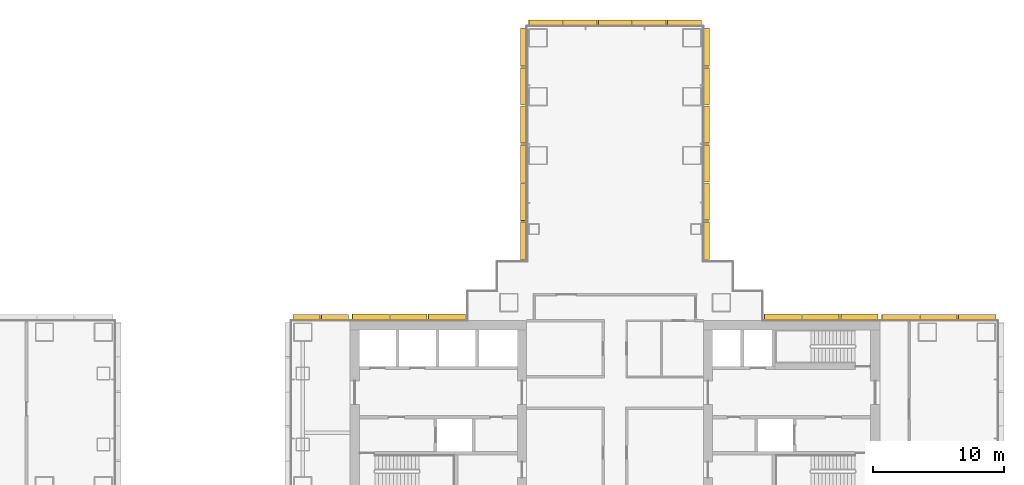
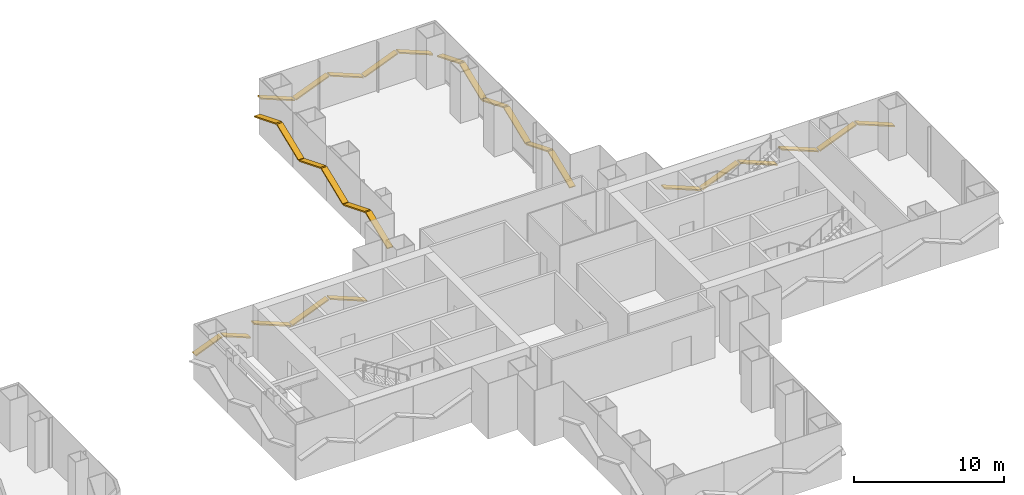
# One storey, part 22 of 22: 28 shading devices.
"""IFC4 building model written with IfcOpenShell, lengths in metres."""

from ifc_helpers import new_model, si_unit, direction, frame, origin, origin_2d, place, context, subcontext, project, spatial, rectangle, extrude, material, material_profile, profile_set, type_object, element, save


model = new_model("IFC4")

# Units and contexts
model_context = context("Model", 3, precision=1e-05, world=origin(), true_north=direction((0.0, 1.0)))
body_context = subcontext(model_context, "Body", "Model", "MODEL_VIEW")
ifc_project = project(units=[si_unit("LENGTHUNIT", "METRE"), si_unit("AREAUNIT", "SQUARE_METRE"), si_unit("VOLUMEUNIT", "CUBIC_METRE"), si_unit("PLANEANGLEUNIT", "RADIAN"), si_unit("MASSUNIT", "GRAM", prefix="KILO")], contexts=[model_context])

# Site, building, storey
site_placement = place(None, origin())
site = spatial("IfcSite", under=ifc_project, at=site_placement, CompositionType="ELEMENT")
building_placement = place(site_placement, origin())
building = spatial("IfcBuilding", under=site, at=building_placement, Name="Shamsa Quay Exchange Towers", CompositionType="ELEMENT")
storey_placement = place(building_placement, frame((0.0, 0.0, 33.0)))
storey = spatial("IfcBuildingStorey", under=building, at=storey_placement, Name="L06", CompositionType="ELEMENT", Elevation=33.0)

# Shading devices
ifc_material = material(Name="Aluminium EN AW-6063 T6, black anodised", Category="aluminium")
ifc_material_profile = material_profile(ifc_material, rectangle(XDim=0.449951171875, YDim=0.10009765625, at=origin_2d()), Name="FIN450x100")
ifc_profile_set = profile_set([ifc_material_profile], Name="Aluminium EN AW-6063 T6, black anodised")
shading_device_type = type_object("IfcShadingDeviceType", Name="FIN 450x100 BLACK ALUMINIUM", PredefinedType="USERDEFINED", material=ifc_profile_set)
shading_device_1_placement = place(storey_placement, frame((62.85009765625, 7.014892578125, 1.32421875), z_axis=(-0.927172879528, 0.0, 0.374633756445), x_axis=(0.0, -1.0, 0.0)))
element("IfcShadingDevice", 1, at=shading_device_1_placement, inside=storey, type_object=shading_device_type, Name="FIN T2 chevron rib", ObjectType="FIN", PredefinedType="USERDEFINED", context=body_context, shape_type="SweptSolid", body=[
    extrude(rectangle(XDim=0.449951171875, YDim=0.10009765625, at=origin_2d()), origin(), (0.0, 0.0, 1.0), 3.073974609375),
])
shading_device_2_placement = place(storey_placement, frame((59.89990234375, 7.014892578125, 2.465576171875), z_axis=(-0.927194321903, 0.0, -0.374580684808), x_axis=(0.0, -1.0, 0.0)))
element("IfcShadingDevice", 2, at=shading_device_2_placement, inside=storey, type_object=shading_device_type, Name="FIN T2 chevron rib", ObjectType="FIN", PredefinedType="USERDEFINED", context=body_context, shape_type="SweptSolid", body=[
    extrude(rectangle(XDim=0.449951171875, YDim=0.10009765625, at=origin_2d()), origin(), (0.0, 0.0, 1.0), 3.01953125),
])
for number, where, z_axis, x_axis, name in (
    (3, (57.0, 7.014892578125, 1.32421875), (-0.927172879528, 0.0, 0.374633756445), (0.0, -1.0, 0.0), "FIN T2 chevron rib"),
    (4, (53.85009765625, 7.01904296875, 1.32421875), (-0.927172879528, 0.0, 0.374633756445), (0.0, -1.0, 0.0), "FIN T2 chevron rib"),
):
    element("IfcShadingDevice", number, at=place(storey_placement, frame(where, z_axis=z_axis, x_axis=x_axis)), inside=storey, type_object=shading_device_type, Name=name, ObjectType="FIN", PredefinedType="USERDEFINED", context=body_context, shape_type="SweptSolid", body=[
        extrude(rectangle(XDim=0.449951171875, YDim=0.10009765625, at=origin_2d()), origin(), (0.0, 0.0, 1.0), 3.073974609375),
    ])
shading_device_3_placement = place(storey_placement, frame((50.89990234375, 7.01904296875, 2.465576171875), z_axis=(-0.927194321903, 0.0, -0.374580684808), x_axis=(0.0, -1.0, 0.0)))
element("IfcShadingDevice", 5, at=shading_device_3_placement, inside=storey, type_object=shading_device_type, Name="FIN T2 chevron rib", ObjectType="FIN", PredefinedType="USERDEFINED", context=body_context, shape_type="SweptSolid", body=[
    extrude(rectangle(XDim=0.449951171875, YDim=0.10009765625, at=origin_2d()), origin(), (0.0, 0.0, 1.0), 3.01953125),
])
shading_device_4_placement = place(storey_placement, frame((48.0, 7.01904296875, 1.32421875), z_axis=(-0.927172879528, 0.0, 0.374633756445), x_axis=(0.0, -1.0, 0.0)))
element("IfcShadingDevice", 6, at=shading_device_4_placement, inside=storey, type_object=shading_device_type, Name="FIN T2 chevron rib", ObjectType="FIN", PredefinedType="USERDEFINED", context=body_context, shape_type="SweptSolid", body=[
    extrude(rectangle(XDim=0.449951171875, YDim=0.10009765625, at=origin_2d()), origin(), (0.0, 0.0, 1.0), 3.073974609375),
])
shading_device_5_placement = place(storey_placement, frame((40.764892578125, 11.43798828125, 1.3154296875), z_axis=(0.0, 0.927181758575, 0.374611781137), x_axis=(-1.0, 0.0, 0.0)))
element("IfcShadingDevice", 7, at=shading_device_5_placement, inside=storey, type_object=shading_device_type, Name="FIN T2 chevron rib", ObjectType="FIN", PredefinedType="USERDEFINED", context=body_context, shape_type="SweptSolid", body=[
    extrude(rectangle(XDim=0.449951171875, YDim=0.10009765625, at=origin_2d()), origin(), (0.0, 0.0, 1.0), 3.12109375),
])
for number, where, z_axis, x_axis, name in (
    (8, (40.764892578125, 14.431640625, 2.474365234375), (0.0, 0.927186549588, -0.374599922936), (-1.0, 0.0, 0.0), "FIN T2 chevron rib"),
    (9, (40.764892578125, 17.375244140625, 1.325439453125), (0.0, 0.927186549588, 0.374599922936), (-1.0, 0.0, 0.0), "FIN T2 chevron rib"),
):
    element("IfcShadingDevice", number, at=place(storey_placement, frame(where, z_axis=z_axis, x_axis=x_axis)), inside=storey, type_object=shading_device_type, Name=name, ObjectType="FIN", PredefinedType="USERDEFINED", context=body_context, shape_type="SweptSolid", body=[
        extrude(rectangle(XDim=0.449951171875, YDim=0.10009765625, at=origin_2d()), origin(), (0.0, 0.0, 1.0), 3.067138671875),
    ])
shading_device_6_placement = place(storey_placement, frame((40.764892578125, 20.319091796875, 2.474365234375), z_axis=(0.0, 0.927175378404, -0.374627571973), x_axis=(-1.0, 0.0, 0.0)))
element("IfcShadingDevice", 10, at=shading_device_6_placement, inside=storey, type_object=shading_device_type, Name="FIN T2 chevron rib", ObjectType="FIN", PredefinedType="USERDEFINED", context=body_context, shape_type="SweptSolid", body=[
    extrude(rectangle(XDim=0.449951171875, YDim=0.10009765625, at=origin_2d()), origin(), (0.0, 0.0, 1.0), 3.06689453125),
])
shading_device_7_placement = place(storey_placement, frame((40.764892578125, 23.2626953125, 1.325439453125), z_axis=(0.0, 0.927186549588, 0.374599922936), x_axis=(-1.0, 0.0, 0.0)))
element("IfcShadingDevice", 11, at=shading_device_7_placement, inside=storey, type_object=shading_device_type, Name="FIN T2 chevron rib", ObjectType="FIN", PredefinedType="USERDEFINED", context=body_context, shape_type="SweptSolid", body=[
    extrude(rectangle(XDim=0.449951171875, YDim=0.10009765625, at=origin_2d()), origin(), (0.0, 0.0, 1.0), 3.067138671875),
])
shading_device_8_placement = place(storey_placement, frame((40.764892578125, 26.206298828125, 2.484619140625), z_axis=(0.0, 0.927181758575, -0.374611781137), x_axis=(-1.0, 0.0, 0.0)))
element("IfcShadingDevice", 12, at=shading_device_8_placement, inside=storey, type_object=shading_device_type, Name="FIN T2 chevron rib", ObjectType="FIN", PredefinedType="USERDEFINED", context=body_context, shape_type="SweptSolid", body=[
    extrude(rectangle(XDim=0.449951171875, YDim=0.10009765625, at=origin_2d()), origin(), (0.0, 0.0, 1.0), 3.12109375),
])
shading_device_9_placement = place(storey_placement, frame((40.35009765625, 29.514892578125, 1.376708984375), z_axis=(-0.927193392866, 0.0, 0.374582984431), x_axis=(0.0, -1.0, 0.0)))
element("IfcShadingDevice", 13, at=shading_device_9_placement, inside=storey, type_object=shading_device_type, Name="FIN T2 chevron rib", ObjectType="FIN", PredefinedType="USERDEFINED", context=body_context, shape_type="SweptSolid", body=[
    extrude(rectangle(XDim=0.449951171875, YDim=0.10009765625, at=origin_2d()), origin(), (0.0, 0.0, 1.0), 2.79345703125),
])
shading_device_10_placement = place(storey_placement, frame((37.659912109375, 29.514892578125, 2.4130859375), z_axis=(-0.92718648049, 0.0, -0.374600093963), x_axis=(0.0, -1.0, 0.0)))
element("IfcShadingDevice", 14, at=shading_device_10_placement, inside=storey, type_object=shading_device_type, Name="FIN T2 chevron rib", ObjectType="FIN", PredefinedType="USERDEFINED", context=body_context, shape_type="SweptSolid", body=[
    extrude(rectangle(XDim=0.449951171875, YDim=0.10009765625, at=origin_2d()), origin(), (0.0, 0.0, 1.0), 2.7392578125),
])
shading_device_11_placement = place(storey_placement, frame((35.02001953125, 29.514892578125, 1.386962890625), z_axis=(-0.927198985683, 0.0, 0.37456914041), x_axis=(0.0, -1.0, 0.0)))
element("IfcShadingDevice", 15, at=shading_device_11_placement, inside=storey, type_object=shading_device_type, Name="FIN T2 chevron rib", ObjectType="FIN", PredefinedType="USERDEFINED", context=body_context, shape_type="SweptSolid", body=[
    extrude(rectangle(XDim=0.449951171875, YDim=0.10009765625, at=origin_2d()), origin(), (0.0, 0.0, 1.0), 2.739501953125),
])
shading_device_12_placement = place(storey_placement, frame((32.3798828125, 29.514892578125, 2.4130859375), z_axis=(-0.92718648049, 0.0, -0.374600093963), x_axis=(0.0, -1.0, 0.0)))
element("IfcShadingDevice", 16, at=shading_device_12_placement, inside=storey, type_object=shading_device_type, Name="FIN T2 chevron rib", ObjectType="FIN", PredefinedType="USERDEFINED", context=body_context, shape_type="SweptSolid", body=[
    extrude(rectangle(XDim=0.449951171875, YDim=0.10009765625, at=origin_2d()), origin(), (0.0, 0.0, 1.0), 2.7392578125),
])
shading_device_13_placement = place(storey_placement, frame((29.739990234375, 29.514892578125, 1.376708984375), z_axis=(-0.927193392866, 0.0, 0.374582984431), x_axis=(0.0, -1.0, 0.0)))
element("IfcShadingDevice", 17, at=shading_device_13_placement, inside=storey, type_object=shading_device_type, Name="FIN T2 chevron rib", ObjectType="FIN", PredefinedType="USERDEFINED", context=body_context, shape_type="SweptSolid", body=[
    extrude(rectangle(XDim=0.449951171875, YDim=0.10009765625, at=origin_2d()), origin(), (0.0, 0.0, 1.0), 2.79345703125),
])
shading_device_14_placement = place(storey_placement, frame((26.735107421875, 29.10009765625, 1.314208984375), z_axis=(0.0, -0.927195444727, 0.374577905484), x_axis=(1.0, 0.0, 0.0)))
element("IfcShadingDevice", 18, at=shading_device_14_placement, inside=storey, type_object=shading_device_type, Name="FIN T2 chevron rib", ObjectType="FIN", PredefinedType="USERDEFINED", context=body_context, shape_type="SweptSolid", body=[
    extrude(rectangle(XDim=0.449951171875, YDim=0.10009765625, at=origin_2d()), origin(), (0.0, 0.0, 1.0), 3.1279296875),
])
shading_device_15_placement = place(storey_placement, frame((26.735107421875, 26.10009765625, 2.475830078125), z_axis=(0.0, -0.927172879528, -0.374633756445), x_axis=(1.0, 0.0, 0.0)))
element("IfcShadingDevice", 19, at=shading_device_15_placement, inside=storey, type_object=shading_device_type, Name="FIN T2 chevron rib", ObjectType="FIN", PredefinedType="USERDEFINED", context=body_context, shape_type="SweptSolid", body=[
    extrude(rectangle(XDim=0.449951171875, YDim=0.10009765625, at=origin_2d()), origin(), (0.0, 0.0, 1.0), 3.073974609375),
])
for number, where, z_axis, x_axis, name in (
    (20, (26.735107421875, 23.14990234375, 1.32421875), (0.0, -0.927161731378, 0.374661345576), (1.0, 0.0, 0.0), "FIN T2 chevron rib"),
    (21, (26.735107421875, 20.199951171875, 2.475830078125), (0.0, -0.927161731378, -0.374661345576), (1.0, 0.0, 0.0), "FIN T2 chevron rib"),
):
    element("IfcShadingDevice", number, at=place(storey_placement, frame(where, z_axis=z_axis, x_axis=x_axis)), inside=storey, type_object=shading_device_type, Name=name, ObjectType="FIN", PredefinedType="USERDEFINED", context=body_context, shape_type="SweptSolid", body=[
        extrude(rectangle(XDim=0.449951171875, YDim=0.10009765625, at=origin_2d()), origin(), (0.0, 0.0, 1.0), 3.07373046875),
    ])
shading_device_16_placement = place(storey_placement, frame((26.735107421875, 17.25, 1.32421875), z_axis=(0.0, -0.927172879528, 0.374633756445), x_axis=(1.0, 0.0, 0.0)))
element("IfcShadingDevice", 22, at=shading_device_16_placement, inside=storey, type_object=shading_device_type, Name="FIN T2 chevron rib", ObjectType="FIN", PredefinedType="USERDEFINED", context=body_context, shape_type="SweptSolid", body=[
    extrude(rectangle(XDim=0.449951171875, YDim=0.10009765625, at=origin_2d()), origin(), (0.0, 0.0, 1.0), 3.073974609375),
])
shading_device_17_placement = place(storey_placement, frame((26.735107421875, 14.300048828125, 2.48583984375), z_axis=(0.0, -0.927195444727, -0.374577905484), x_axis=(1.0, 0.0, 0.0)))
element("IfcShadingDevice", 23, at=shading_device_17_placement, inside=storey, type_object=shading_device_type, Name="FIN T2 chevron rib", ObjectType="FIN", PredefinedType="USERDEFINED", context=body_context, shape_type="SweptSolid", body=[
    extrude(rectangle(XDim=0.449951171875, YDim=0.10009765625, at=origin_2d()), origin(), (0.0, 0.0, 1.0), 3.1279296875),
])
shading_device_18_placement = place(storey_placement, frame((22.31201171875, 7.01904296875, 1.326904296875), z_axis=(-0.927200279974, 0.0, 0.374565936541), x_axis=(0.0, -1.0, 0.0)))
element("IfcShadingDevice", 24, at=shading_device_18_placement, inside=storey, type_object=shading_device_type, Name="FIN T2 chevron rib", ObjectType="FIN", PredefinedType="USERDEFINED", context=body_context, shape_type="SweptSolid", body=[
    extrude(rectangle(XDim=0.449951171875, YDim=0.10009765625, at=origin_2d()), origin(), (0.0, 0.0, 1.0), 3.060302734375),
])
shading_device_19_placement = place(storey_placement, frame((19.374755859375, 7.01904296875, 2.463134765625), z_axis=(-0.927177294124, 0.0, -0.374622830673), x_axis=(0.0, -1.0, 0.0)))
element("IfcShadingDevice", 25, at=shading_device_19_placement, inside=storey, type_object=shading_device_type, Name="FIN T2 chevron rib", ObjectType="FIN", PredefinedType="USERDEFINED", context=body_context, shape_type="SweptSolid", body=[
    extrude(rectangle(XDim=0.449951171875, YDim=0.10009765625, at=origin_2d()), origin(), (0.0, 0.0, 1.0), 3.00634765625),
])
shading_device_20_placement = place(storey_placement, frame((16.4873046875, 7.01904296875, 1.326904296875), z_axis=(-0.927200279974, 0.0, 0.374565936541), x_axis=(0.0, -1.0, 0.0)))
element("IfcShadingDevice", 26, at=shading_device_20_placement, inside=storey, type_object=shading_device_type, Name="FIN T2 chevron rib", ObjectType="FIN", PredefinedType="USERDEFINED", context=body_context, shape_type="SweptSolid", body=[
    extrude(rectangle(XDim=0.449951171875, YDim=0.10009765625, at=origin_2d()), origin(), (0.0, 0.0, 1.0), 3.060302734375),
])
for number, where, z_axis, x_axis, name in (
    (27, (13.35009765625, 7.014892578125, 1.48583984375), (-0.927168828628, 0.0, 0.374643781772), (0.0, -1.0, 0.0), "FIN T2 chevron rib"),
    (28, (11.199951171875, 7.014892578125, 2.314208984375), (-0.927168828628, 0.0, -0.374643781772), (0.0, -1.0, 0.0), "FIN T2 chevron rib"),
):
    element("IfcShadingDevice", number, at=place(storey_placement, frame(where, z_axis=z_axis, x_axis=x_axis)), inside=storey, type_object=shading_device_type, Name=name, ObjectType="FIN", PredefinedType="USERDEFINED", context=body_context, shape_type="SweptSolid", body=[
        extrude(rectangle(XDim=0.449951171875, YDim=0.10009765625, at=origin_2d()), origin(), (0.0, 0.0, 1.0), 2.211181640625),
    ])

save(model, "model.ifc")
